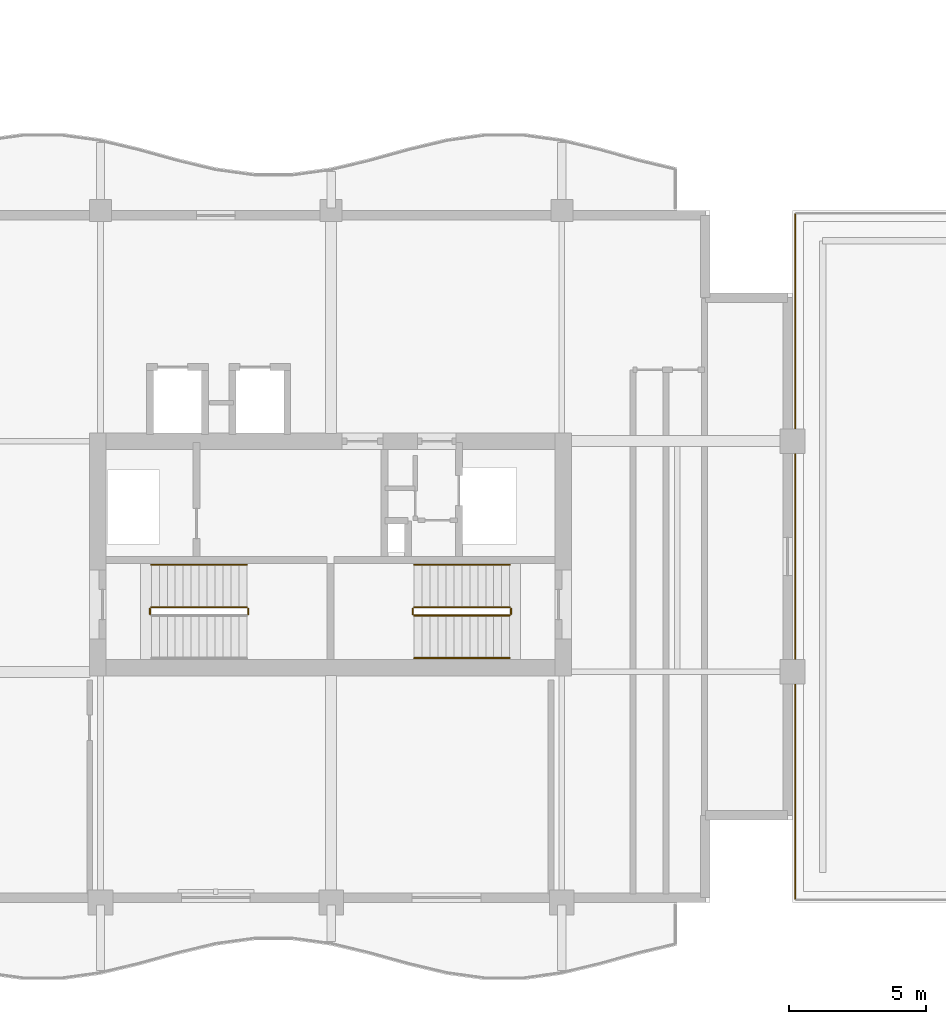
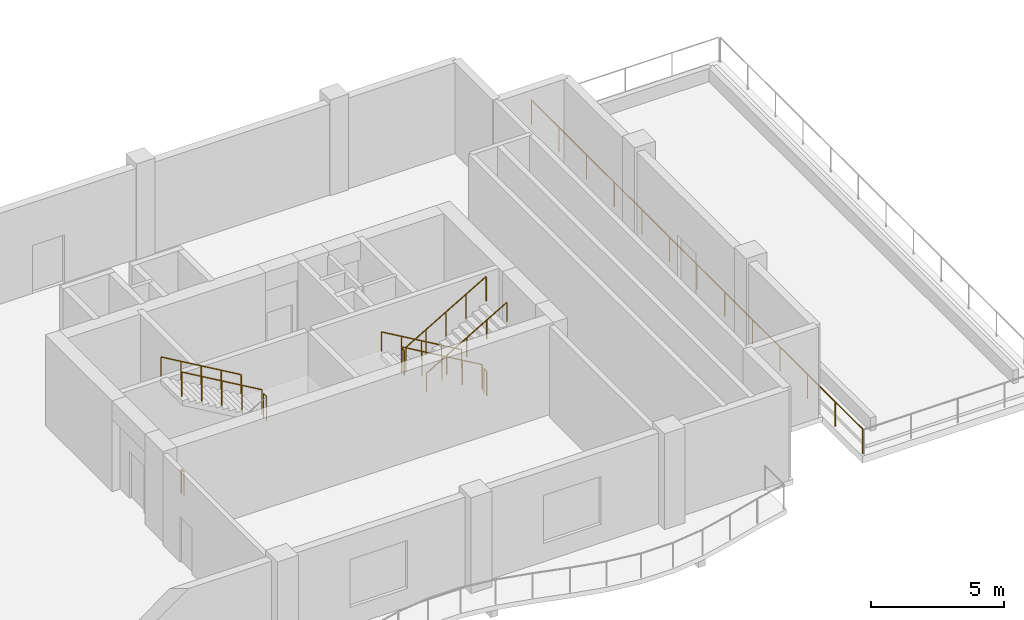
# One storey, part 13 of 16: 11 railings.
"""IFC4 building model written with IfcOpenShell, lengths in metres."""

from ifc_helpers import new_model, si_unit, direction, frame, origin, origin_2d, place, context, subcontext, project, spatial, circle, extrude, material, type_object, element, save


model = new_model("IFC4")

# Units and contexts
model_context = context("Model", 3, precision=1e-05, world=origin(), true_north=direction((0.0, 1.0)))
body_context = subcontext(model_context, "Body", "Model", "MODEL_VIEW")
ifc_project = project(units=[si_unit("LENGTHUNIT", "METRE"), si_unit("AREAUNIT", "SQUARE_METRE"), si_unit("VOLUMEUNIT", "CUBIC_METRE"), si_unit("PLANEANGLEUNIT", "RADIAN"), si_unit("MASSUNIT", "GRAM", prefix="KILO")], contexts=[model_context])

# Site, building, storey
site_placement = place(None, origin())
site = spatial("IfcSite", under=ifc_project, at=site_placement, CompositionType="ELEMENT")
building_placement = place(site_placement, origin())
building = spatial("IfcBuilding", under=site, at=building_placement, Name="Koriwani Terraces Tower", CompositionType="ELEMENT")
storey_placement = place(building_placement, frame((0.0, 0.0, 286.0)))
storey = spatial("IfcBuildingStorey", under=building, at=storey_placement, Name="L71", CompositionType="ELEMENT", Elevation=286.0)

# Railings
ifc_material = material(Name="Steel ASTM A572 Grade 50", Category="steel")
railing_type_1 = type_object("IfcRailingType", Name="GUARD_BALUSTRADE_1150", PredefinedType="BALUSTRADE", material=ifc_material)
railing_1_placement = place(storey_placement, frame((67.300048828125, 8.534912109375, 0.0)))
element("IfcRailing", 1, at=railing_1_placement, inside=storey, type_object=railing_type_1, Name="L71 Setback Sky-Garden Terrace Balustrade Segment 1", PredefinedType="BALUSTRADE", context=body_context, shape_type="SweptSolid", body=[
    extrude(circle(Radius=0.02490234375, at=origin_2d()), frame((0.0, 0.0, 1.125), z_axis=(0.0, 1.0, 0.0), x_axis=(-1.0, 0.0, 0.0)), (0.0, 0.0, 1.0), 24.93017578125),
    extrude(circle(Radius=0.0224609375, at=origin_2d()), origin(), (0.0, 0.0, 1.0), 1.099853515625),
    extrude(circle(Radius=0.0224609375, at=origin_2d()), frame((0.0, 2.07763671875, 0.0)), (0.0, 0.0, 1.0), 1.099853515625),
    extrude(circle(Radius=0.0224609375, at=origin_2d()), frame((0.0, 4.155029296875, 0.0)), (0.0, 0.0, 1.0), 1.099853515625),
    extrude(circle(Radius=0.0224609375, at=origin_2d()), frame((0.0, 6.232421875, 0.0)), (0.0, 0.0, 1.0), 1.099853515625),
    extrude(circle(Radius=0.0224609375, at=origin_2d()), frame((0.0, 8.31005859375, 0.0)), (0.0, 0.0, 1.0), 1.099853515625),
    extrude(circle(Radius=0.0224609375, at=origin_2d()), frame((0.0, 10.3876953125, 0.0)), (0.0, 0.0, 1.0), 1.099853515625),
    extrude(circle(Radius=0.0224609375, at=origin_2d()), frame((0.0, 12.465087890625, 0.0)), (0.0, 0.0, 1.0), 1.099853515625),
    extrude(circle(Radius=0.0224609375, at=origin_2d()), frame((0.0, 14.542724609375, 0.0)), (0.0, 0.0, 1.0), 1.099853515625),
    extrude(circle(Radius=0.0224609375, at=origin_2d()), frame((0.0, 16.6201171875, 0.0)), (0.0, 0.0, 1.0), 1.099853515625),
    extrude(circle(Radius=0.0224609375, at=origin_2d()), frame((0.0, 18.69775390625, 0.0)), (0.0, 0.0, 1.0), 1.099853515625),
    extrude(circle(Radius=0.0224609375, at=origin_2d()), frame((0.0, 20.775146484375, 0.0)), (0.0, 0.0, 1.0), 1.099853515625),
    extrude(circle(Radius=0.0224609375, at=origin_2d()), frame((0.0, 22.8525390625, 0.0)), (0.0, 0.0, 1.0), 1.099853515625),
    extrude(circle(Radius=0.0224609375, at=origin_2d()), frame((0.0, 24.93017578125, 0.0)), (0.0, 0.0, 1.0), 1.099853515625),
])
railing_type_2 = type_object("IfcRailingType", Name="GUARD_STAIR_WELL_1120", PredefinedType="GUARDRAIL", material=ifc_material)
railing_2_placement = place(storey_placement, frame((47.3798828125, 18.89990234375, 2.199951171875)))
element("IfcRailing", 2, at=railing_2_placement, inside=storey, type_object=railing_type_2, Name="L71 ST-E1 stair guard 2", PredefinedType="GUARDRAIL", context=body_context, shape_type="SweptSolid", body=[
    extrude(circle(Radius=0.02392578125, at=origin_2d()), frame((0.0, 0.0, 1.1259765625), z_axis=(0.0, 1.0, 0.0), x_axis=(-1.0, 0.0, 0.0)), (0.0, 0.0, 1.0), 0.2001953125),
    extrude(circle(Radius=0.02099609375, at=origin_2d()), origin(), (0.0, 0.0, 1.0), 1.101806640625),
    extrude(circle(Radius=0.02099609375, at=origin_2d()), frame((0.0, 0.2001953125, 0.0)), (0.0, 0.0, 1.0), 1.101806640625),
])
railing_3_placement = place(storey_placement, frame((47.330078125, 19.14990234375, 2.369140625)))
element("IfcRailing", 3, at=railing_3_placement, inside=storey, type_object=railing_type_2, Name="L71 ST-E1 stair guard 3", PredefinedType="GUARDRAIL", context=body_context, shape_type="SweptSolid", body=[
    extrude(circle(Radius=0.02392578125, at=origin_2d()), frame((0.0, 0.0, 1.1259765625), z_axis=(-0.863695377172, 0.0, 0.504014181796), x_axis=(0.0, -1.0, 0.0)), (0.0, 0.0, 1.0), 4.029296875),
    extrude(circle(Radius=0.02099609375, at=origin_2d()), origin(), (0.0, 0.0, 1.0), 1.101806640625),
    extrude(circle(Radius=0.02099609375, at=origin_2d()), frame((-0.8701171875, 0.0, 0.5078125)), (0.0, 0.0, 1.0), 1.101806640625),
    extrude(circle(Radius=0.02099609375, at=origin_2d()), frame((-1.739990234375, 0.0, 1.015380859375)), (0.0, 0.0, 1.0), 1.101806640625),
    extrude(circle(Radius=0.02099609375, at=origin_2d()), frame((-2.60986328125, 0.0, 1.52294921875)), (0.0, 0.0, 1.0), 1.101806640625),
    extrude(circle(Radius=0.02099609375, at=origin_2d()), frame((-3.47998046875, 0.0, 2.03076171875)), (0.0, 0.0, 1.0), 1.101806640625),
])
railing_4_placement = place(storey_placement, frame((43.800048828125, 18.89990234375, 0.0)))
element("IfcRailing", 4, at=railing_4_placement, inside=storey, type_object=railing_type_2, Name="L71 ST-E1 stair guard 4", PredefinedType="GUARDRAIL", context=body_context, shape_type="SweptSolid", body=[
    extrude(circle(Radius=0.02392578125, at=origin_2d()), frame((0.0, 0.0, 1.1259765625), z_axis=(0.0, 1.0, 0.0), x_axis=(-1.0, 0.0, 0.0)), (0.0, 0.0, 1.0), 0.2001953125),
    extrude(circle(Radius=0.02099609375, at=origin_2d()), origin(), (0.0, 0.0, 1.0), 1.101806640625),
    extrude(circle(Radius=0.02099609375, at=origin_2d()), frame((0.0, 0.2001953125, 0.0)), (0.0, 0.0, 1.0), 1.101806640625),
])
railing_5_placement = place(storey_placement, frame((56.89990234375, 19.14990234375, 0.169189453125)))
element("IfcRailing", 5, at=railing_5_placement, inside=storey, type_object=railing_type_2, Name="L71 ST-E2 stair guard 1", PredefinedType="GUARDRAIL", context=body_context, shape_type="SweptSolid", body=[
    extrude(circle(Radius=0.02392578125, at=origin_2d()), frame((0.0, 0.0, 1.1259765625), z_axis=(-0.863695377172, 0.0, 0.504014181796), x_axis=(0.0, -1.0, 0.0)), (0.0, 0.0, 1.0), 4.029296875),
    extrude(circle(Radius=0.02099609375, at=origin_2d()), origin(), (0.0, 0.0, 1.0), 1.101806640625),
    extrude(circle(Radius=0.02099609375, at=origin_2d()), frame((-0.8701171875, 0.0, 0.5078125)), (0.0, 0.0, 1.0), 1.101806640625),
    extrude(circle(Radius=0.02099609375, at=origin_2d()), frame((-1.739990234375, 0.0, 1.015380859375)), (0.0, 0.0, 1.0), 1.101806640625),
    extrude(circle(Radius=0.02099609375, at=origin_2d()), frame((-2.60986328125, 0.0, 1.52294921875)), (0.0, 0.0, 1.0), 1.101806640625),
    extrude(circle(Radius=0.02099609375, at=origin_2d()), frame((-3.47998046875, 0.0, 2.03076171875)), (0.0, 0.0, 1.0), 1.101806640625),
])
railing_6_placement = place(storey_placement, frame((53.3701171875, 19.10009765625, 2.199951171875)))
element("IfcRailing", 6, at=railing_6_placement, inside=storey, type_object=railing_type_2, Name="L71 ST-E2 stair guard 2", PredefinedType="GUARDRAIL", context=body_context, shape_type="SweptSolid", body=[
    extrude(circle(Radius=0.02392578125, at=origin_2d()), frame((0.0, 0.0, 1.1259765625), z_axis=(0.0, -1.0, 0.0), x_axis=(1.0, 0.0, 0.0)), (0.0, 0.0, 1.0), 0.2001953125),
    extrude(circle(Radius=0.02099609375, at=origin_2d()), origin(), (0.0, 0.0, 1.0), 1.101806640625),
    extrude(circle(Radius=0.02099609375, at=origin_2d()), frame((0.0, -0.2001953125, 0.0)), (0.0, 0.0, 1.0), 1.101806640625),
])
railing_7_placement = place(storey_placement, frame((53.419921875, 18.85009765625, 2.369140625)))
element("IfcRailing", 7, at=railing_7_placement, inside=storey, type_object=railing_type_2, Name="L71 ST-E2 stair guard 3", PredefinedType="GUARDRAIL", context=body_context, shape_type="SweptSolid", body=[
    extrude(circle(Radius=0.02392578125, at=origin_2d()), frame((0.0, 0.0, 1.1259765625), z_axis=(0.863695377172, 0.0, 0.504014181796), x_axis=(0.0, 1.0, 0.0)), (0.0, 0.0, 1.0), 4.029296875),
    extrude(circle(Radius=0.02099609375, at=origin_2d()), origin(), (0.0, 0.0, 1.0), 1.101806640625),
    extrude(circle(Radius=0.02099609375, at=origin_2d()), frame((0.8701171875, 0.0, 0.5078125)), (0.0, 0.0, 1.0), 1.101806640625),
    extrude(circle(Radius=0.02099609375, at=origin_2d()), frame((1.739990234375, 0.0, 1.015380859375)), (0.0, 0.0, 1.0), 1.101806640625),
    extrude(circle(Radius=0.02099609375, at=origin_2d()), frame((2.60986328125, 0.0, 1.52294921875)), (0.0, 0.0, 1.0), 1.101806640625),
    extrude(circle(Radius=0.02099609375, at=origin_2d()), frame((3.47998046875, 0.0, 2.03076171875)), (0.0, 0.0, 1.0), 1.101806640625),
])
railing_8_placement = place(storey_placement, frame((56.949951171875, 19.10009765625, 0.0)))
element("IfcRailing", 8, at=railing_8_placement, inside=storey, type_object=railing_type_2, Name="L71 ST-E2 stair guard 4", PredefinedType="GUARDRAIL", context=body_context, shape_type="SweptSolid", body=[
    extrude(circle(Radius=0.02392578125, at=origin_2d()), frame((0.0, 0.0, 1.1259765625), z_axis=(0.0, -1.0, 0.0), x_axis=(1.0, 0.0, 0.0)), (0.0, 0.0, 1.0), 0.2001953125),
    extrude(circle(Radius=0.02099609375, at=origin_2d()), origin(), (0.0, 0.0, 1.0), 1.101806640625),
    extrude(circle(Radius=0.02099609375, at=origin_2d()), frame((0.0, -0.2001953125, 0.0)), (0.0, 0.0, 1.0), 1.101806640625),
])
railing_type_3 = type_object("IfcRailingType", Name="HANDRAIL_STAIR_920", PredefinedType="HANDRAIL", material=ifc_material)
for number, where, name in (
    (9, (47.330078125, 20.699951171875, 2.369140625), "L71 ST-E1 stair handrail 2"),
    (10, (56.89990234375, 20.699951171875, 0.169189453125), "L71 ST-E2 stair handrail 1"),
):
    element("IfcRailing", number, at=place(storey_placement, frame(where)), inside=storey, type_object=railing_type_3, Name=name, PredefinedType="HANDRAIL", context=body_context, shape_type="SweptSolid", body=[
        extrude(circle(Radius=0.02392578125, at=origin_2d()), frame((0.0, 0.0, 0.8759765625), z_axis=(-0.863695377172, 0.0, 0.504014181796), x_axis=(0.0, -1.0, 0.0)), (0.0, 0.0, 1.0), 4.029296875),
        extrude(circle(Radius=0.02099609375, at=origin_2d()), origin(), (0.0, 0.0, 1.0), 0.851806640625),
        extrude(circle(Radius=0.02099609375, at=origin_2d()), frame((-0.8701171875, 0.0, 0.5078125)), (0.0, 0.0, 1.0), 0.851806640625),
        extrude(circle(Radius=0.02099609375, at=origin_2d()), frame((-1.739990234375, 0.0, 1.015380859375)), (0.0, 0.0, 1.0), 0.851806640625),
        extrude(circle(Radius=0.02099609375, at=origin_2d()), frame((-2.60986328125, 0.0, 1.52294921875)), (0.0, 0.0, 1.0), 0.851806640625),
        extrude(circle(Radius=0.02099609375, at=origin_2d()), frame((-3.47998046875, 0.0, 2.03076171875)), (0.0, 0.0, 1.0), 0.851806640625),
    ])
railing_9_placement = place(storey_placement, frame((53.419921875, 17.300048828125, 2.369140625)))
element("IfcRailing", 11, at=railing_9_placement, inside=storey, type_object=railing_type_3, Name="L71 ST-E2 stair handrail 2", PredefinedType="HANDRAIL", context=body_context, shape_type="SweptSolid", body=[
    extrude(circle(Radius=0.02392578125, at=origin_2d()), frame((0.0, 0.0, 0.8759765625), z_axis=(0.863695377172, 0.0, 0.504014181796), x_axis=(0.0, 1.0, 0.0)), (0.0, 0.0, 1.0), 4.029296875),
    extrude(circle(Radius=0.02099609375, at=origin_2d()), origin(), (0.0, 0.0, 1.0), 0.851806640625),
    extrude(circle(Radius=0.02099609375, at=origin_2d()), frame((0.8701171875, 0.0, 0.5078125)), (0.0, 0.0, 1.0), 0.851806640625),
    extrude(circle(Radius=0.02099609375, at=origin_2d()), frame((1.739990234375, 0.0, 1.015380859375)), (0.0, 0.0, 1.0), 0.851806640625),
    extrude(circle(Radius=0.02099609375, at=origin_2d()), frame((2.60986328125, 0.0, 1.52294921875)), (0.0, 0.0, 1.0), 0.851806640625),
    extrude(circle(Radius=0.02099609375, at=origin_2d()), frame((3.47998046875, 0.0, 2.03076171875)), (0.0, 0.0, 1.0), 0.851806640625),
])

save(model, "model.ifc")
